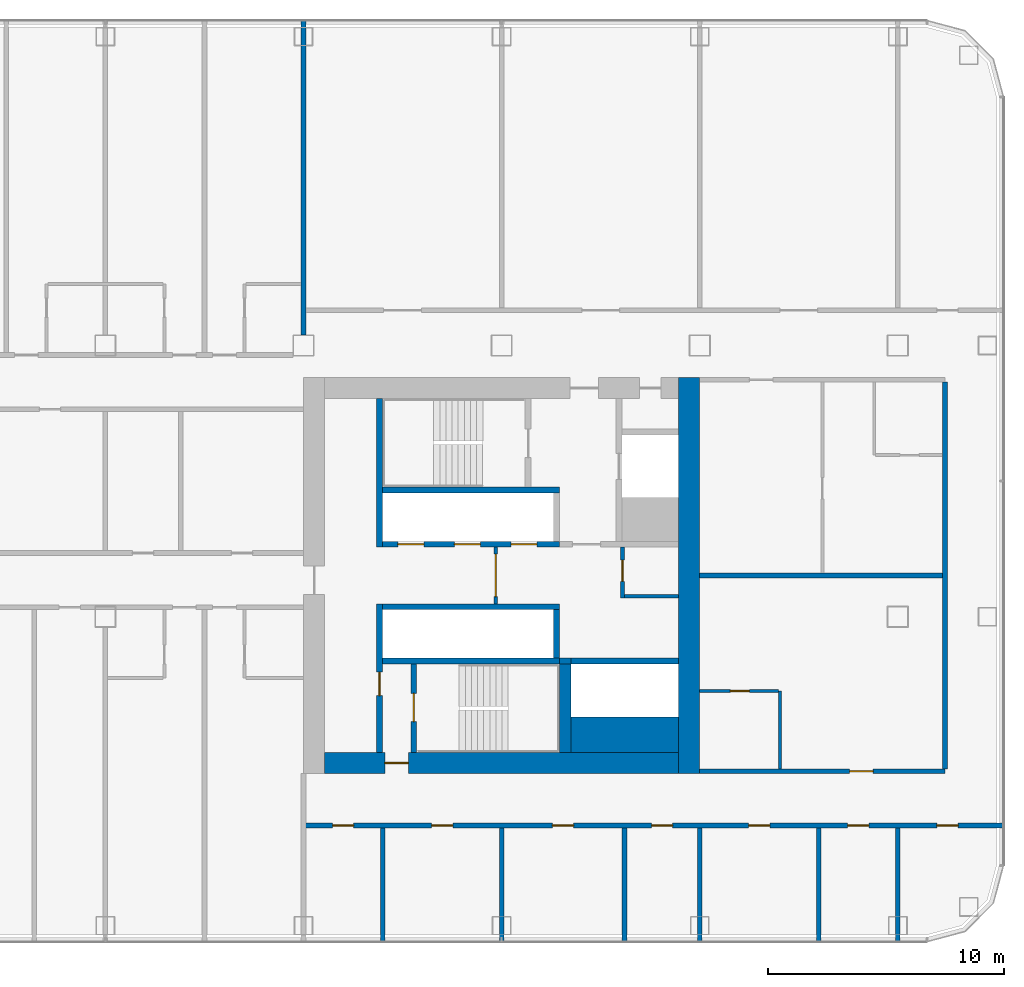
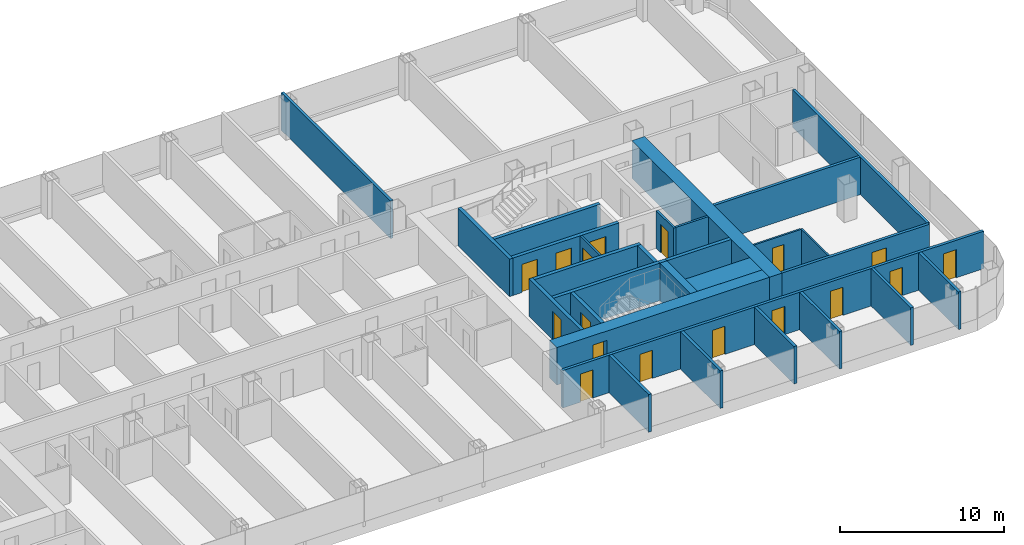
# One storey, part 19 of 29: 30 walls, 17 doors, 17 openings.
"""IFC4 building model written with IfcOpenShell, lengths in metres."""

from ifc_helpers import new_model, si_unit, direction, frame, frame_2d, origin, place, context, subcontext, project, spatial, rectangle, extrude, material, layer, layer_set, type_object, element, fill, save


model = new_model("IFC4")

# Units and contexts
model_context = context("Model", 3, precision=1e-05, world=origin(), true_north=direction((0.0, 1.0)))
body_context = subcontext(model_context, "Body", "Model", "MODEL_VIEW")
ifc_project = project(units=[si_unit("LENGTHUNIT", "METRE"), si_unit("AREAUNIT", "SQUARE_METRE"), si_unit("VOLUMEUNIT", "CUBIC_METRE"), si_unit("PLANEANGLEUNIT", "RADIAN"), si_unit("MASSUNIT", "GRAM", prefix="KILO")], contexts=[model_context])

# Site, building, storey
site_placement = place(None, origin())
site = spatial("IfcSite", under=ifc_project, at=site_placement, CompositionType="ELEMENT")
building_placement = place(site_placement, origin())
building = spatial("IfcBuilding", under=site, at=building_placement, Name="Hakoniwa Tower and Hamabe Station Hall", CompositionType="ELEMENT")
storey_placement = place(building_placement, frame((0.0, 0.0, 110.60009765625)))
storey = spatial("IfcBuildingStorey", under=building, at=storey_placement, Name="L31", CompositionType="ELEMENT", Elevation=110.60009765625)

# Wall, opening, door
ifc_material_1 = material(Name="Gypsum board partition", Category="gypsum")
ifc_layer_1 = layer(ifc_material_1, 0.125)
ifc_layer_set_1 = layer_set([ifc_layer_1], Name="Bathroom Partition 125")
wall_type_1 = type_object("IfcWallType", Name="Bathroom Partition 125", PredefinedType="PARTITIONING", material=ifc_layer_set_1)
wall_1_placement = place(storey_placement, frame((33.60009765625, -4.89990234375, 0.0), z_axis=(0.0, 0.0, 1.0), x_axis=(1.0, 0.0, 0.0)))
wall_1 = element("IfcWall", 1, at=wall_1_placement, inside=storey, type_object=wall_type_1, Name="GW-L31-006", PredefinedType="PARTITIONING", context=body_context, shape_type="SweptSolid", body=[
    extrude(rectangle(XDim=3.33740234375, YDim=0.125, at=frame_2d((1.668701171875, 0.0))), origin(), (0.0, 0.0, 1.0), 2.7998046875),
])
opening_1_placement = place(wall_1_placement, frame((1.300048828125, 0.0, 0.0)))
opening_1 = element("IfcOpeningElement", 2, at=opening_1_placement, cuts=wall_1, Name="Opening GD-G2B2-17", PredefinedType="OPENING", context=body_context, shape_type="SweptSolid", body=[
    extrude(rectangle(XDim=0.800048828125, YDim=2.10009765625, at=frame_2d((0.39990234375, 1.050048828125))), frame((0.0, 0.072509765625, 0.0), z_axis=(0.0, -1.0, 0.0), x_axis=(1.0, 0.0, 0.0)), (0.0, 0.0, 1.0), 0.14501953125),
])
ifc_material_2 = material(Name="Timber door leaf", Category="wood")
door_type_1 = type_object("IfcDoorType", Name="Bathroom Door 800", OperationType="SINGLE_SWING_LEFT", PredefinedType="DOOR", material=ifc_material_2)
door_1_placement = place(opening_1_placement, origin())
door_1 = element("IfcDoor", 3, at=door_1_placement, inside=storey, type_object=door_type_1, Name="Door GD-G2B2-17", OperationType="SINGLE_SWING_RIGHT", OverallHeight=2.10009765625, OverallWidth=0.800048828125, PredefinedType="DOOR", context=body_context, shape_type="SweptSolid", body=[
    extrude(rectangle(XDim=0.800048828125, YDim=2.10009765625, at=frame_2d((0.39990234375, 1.050048828125))), frame((0.0, 0.02490234375, 0.0), z_axis=(0.0, -1.0, 0.0), x_axis=(1.0, 0.0, 0.0)), (0.0, 0.0, 1.0), 0.050048828125),
])
fill(opening_1, door_1)

# Wall
wall_2_placement = place(storey_placement, frame((37.0, -8.199951171875, 0.0), z_axis=(0.0, 0.0, 1.0), x_axis=(0.0, 1.0, 0.0)))
element("IfcWall", 4, at=wall_2_placement, inside=storey, type_object=wall_type_1, Name="GW-L31-092", PredefinedType="PARTITIONING", context=body_context, shape_type="SweptSolid", body=[
    extrude(rectangle(XDim=3.300048828125, YDim=0.125, at=frame_2d((1.64990234375, 0.0))), origin(), (0.0, 0.0, 1.0), 2.7998046875),
])

# Wall, opening, door
ifc_material_3 = material(Name="Gypsum board partition")
ifc_layer_2 = layer(ifc_material_3, 0.14990234375)
ifc_layer_set_2 = layer_set([ifc_layer_2], Name="CORE PARTITION 150 EI 60")
wall_type_2 = type_object("IfcWallType", Name="CORE PARTITION 150 EI 60", PredefinedType="PARTITIONING", material=ifc_layer_set_2)
wall_3_placement = place(storey_placement, frame((24.949951171875, -1.199951171875, 0.0), z_axis=(0.0, 0.0, 1.0), x_axis=(0.0, 1.0, 0.0)))
wall_3 = element("IfcWall", 5, at=wall_3_placement, inside=storey, type_object=wall_type_2, Name="Core partition PL0 east", PredefinedType="PARTITIONING", context=body_context, shape_type="SweptSolid", body=[
    extrude(rectangle(XDim=2.39990234375, YDim=0.14990234375, at=frame_2d((1.199951171875, 0.0))), origin(), (0.0, 0.0, 1.0), 2.7998046875),
])
opening_2_placement = place(wall_3_placement, frame((0.300048828125, 0.0, 0.0)))
opening_2 = element("IfcOpeningElement", 6, at=opening_2_placement, cuts=wall_3, Name="Opening CD-E-LP0-18", PredefinedType="OPENING", context=body_context, shape_type="SweptSolid", body=[
    extrude(rectangle(XDim=1.800048828125, YDim=2.10009765625, at=frame_2d((0.89990234375, 1.050048828125))), frame((0.0, 0.0849609375, 0.0), z_axis=(0.0, -1.0, 0.0), x_axis=(1.0, 0.0, 0.0)), (0.0, 0.0, 1.0), 0.169921875),
])
ifc_material_4 = material(Name="Steel fire door", Category="steel")
door_type_2 = type_object("IfcDoorType", Name="CORE DOOR 1800 FD60", OperationType="DOUBLE_DOOR_SINGLE_SWING", PredefinedType="DOOR", material=ifc_material_4)
door_2_placement = place(opening_2_placement, origin())
door_2 = element("IfcDoor", 7, at=door_2_placement, inside=storey, type_object=door_type_2, Name="Lift lobby partition door", OperationType="DOUBLE_DOOR_SINGLE_SWING", OverallHeight=2.10009765625, OverallWidth=1.800048828125, PredefinedType="DOOR", context=body_context, shape_type="SweptSolid", body=[
    extrude(rectangle(XDim=1.800048828125, YDim=2.10009765625, at=frame_2d((0.89990234375, 1.050048828125))), frame((0.0, 0.02490234375, 0.0), z_axis=(0.0, -1.0, 0.0), x_axis=(1.0, 0.0, 0.0)), (0.0, 0.0, 1.0), 0.050048828125),
])
fill(opening_2, door_2)

wall_4_placement = place(storey_placement, frame((30.324951171875, -0.949951171875, 0.0), z_axis=(0.0, 0.0, 1.0), x_axis=(0.0, 1.0, 0.0)))
wall_4 = element("IfcWall", 8, at=wall_4_placement, inside=storey, type_object=wall_type_2, Name="Core partition PW0 east", PredefinedType="PARTITIONING", context=body_context, shape_type="SweptSolid", body=[
    extrude(rectangle(XDim=2.14990234375, YDim=0.14990234375, at=frame_2d((1.074951171875, 0.0))), origin(), (0.0, 0.0, 1.0), 2.7998046875),
])
opening_3_placement = place(wall_4_placement, frame((0.699951171875, 0.0, 0.0)))
opening_3 = element("IfcOpeningElement", 9, at=opening_3_placement, cuts=wall_4, Name="Opening CD-E-RM1-9", PredefinedType="OPENING", context=body_context, shape_type="SweptSolid", body=[
    extrude(rectangle(XDim=0.89990234375, YDim=2.10009765625, at=frame_2d((0.449951171875, 1.050048828125))), frame((0.0, 0.0849609375, 0.0), z_axis=(0.0, -1.0, 0.0), x_axis=(1.0, 0.0, 0.0)), (0.0, 0.0, 1.0), 0.169921875),
])
ifc_material_5 = material(Name="Steel fire door", Category="steel")
door_type_3 = type_object("IfcDoorType", Name="CORE DOOR 900 FD30", OperationType="NOTDEFINED", PredefinedType="DOOR", material=ifc_material_5)
door_3_placement = place(opening_3_placement, origin())
door_3 = element("IfcDoor", 10, at=door_3_placement, inside=storey, type_object=door_type_3, Name="Store room door", OperationType="SINGLE_SWING_LEFT", OverallHeight=2.10009765625, OverallWidth=0.89990234375, PredefinedType="DOOR", context=body_context, shape_type="SweptSolid", body=[
    extrude(rectangle(XDim=0.89990234375, YDim=2.10009765625, at=frame_2d((0.449951171875, 1.050048828125))), frame((0.0, 0.02490234375, 0.0), z_axis=(0.0, -1.0, 0.0), x_axis=(1.0, 0.0, 0.0)), (0.0, 0.0, 1.0), 0.050048828125),
])
fill(opening_3, door_3)

# Walls
wall_5_placement = place(storey_placement, frame((30.39990234375, -0.875, 0.0), z_axis=(0.0, 0.0, 1.0), x_axis=(1.0, 0.0, 0.0)))
element("IfcWall", 11, at=wall_5_placement, inside=storey, type_object=wall_type_2, Name="Core partition PS east", PredefinedType="PARTITIONING", context=body_context, shape_type="SweptSolid", body=[
    extrude(rectangle(XDim=2.300048828125, YDim=0.14990234375, at=frame_2d((1.14990234375, 0.0))), origin(), (0.0, 0.0, 1.0), 2.7998046875),
])
ifc_material_6 = material(Name="Concrete C72", Category="concrete")
ifc_layer_3 = layer(ifc_material_6, 0.89990234375)
ifc_layer_set_3 = layer_set([ifc_layer_3], Name="CORE WALL 900 C72")
wall_type_3 = type_object("IfcWallType", Name="CORE WALL 900 C72", PredefinedType="SHEAR", material=ifc_layer_set_3)
wall_6_placement = place(storey_placement, frame((33.14990234375, -8.39990234375, 0.0), z_axis=(0.0, 0.0, 1.0), x_axis=(0.0, 1.0, 0.0)))
element("IfcWall", 12, at=wall_6_placement, inside=storey, type_object=wall_type_3, Name="Core wall OUTER east", PredefinedType="SHEAR", context=body_context, shape_type="SweptSolid", body=[
    extrude(rectangle(XDim=16.7998046875, YDim=0.89990234375, at=frame_2d((8.39990234375, 0.0))), origin(), (0.0, 0.0, 1.0), 2.7998046875),
])

# Wall, opening, door
wall_7_placement = place(storey_placement, frame((17.699951171875, -7.949951171875, 0.0), z_axis=(0.0, 0.0, 1.0), x_axis=(1.0, 0.0, 0.0)))
wall_7 = element("IfcWall", 13, at=wall_7_placement, inside=storey, type_object=wall_type_3, Name="Core wall SOUTH east", PredefinedType="SHEAR", context=body_context, shape_type="SweptSolid", body=[
    extrude(rectangle(XDim=15.0, YDim=0.89990234375, at=frame_2d((7.5, 0.0))), origin(), (0.0, 0.0, 1.0), 2.7998046875),
])
opening_4_placement = place(wall_7_placement, frame((2.550048828125, 0.0, 0.0)))
opening_4 = element("IfcOpeningElement", 14, at=opening_4_placement, cuts=wall_7, Name="Opening CD-E-FS3-10", PredefinedType="OPENING", context=body_context, shape_type="SweptSolid", body=[
    extrude(rectangle(XDim=1.0, YDim=2.10009765625, at=frame_2d((0.5, 1.050048828125))), frame((0.0, 0.4599609375, 0.0), z_axis=(0.0, -1.0, 0.0), x_axis=(1.0, 0.0, 0.0)), (0.0, 0.0, 1.0), 0.919921875),
])
ifc_material_7 = material(Name="Steel fire door", Category="steel")
door_type_4 = type_object("IfcDoorType", Name="CORE DOOR 1000 FD60", OperationType="NOTDEFINED", PredefinedType="DOOR", material=ifc_material_7)
door_4_placement = place(opening_4_placement, origin())
door_4 = element("IfcDoor", 15, at=door_4_placement, inside=storey, type_object=door_type_4, Name="Stair vestibule door", OperationType="SINGLE_SWING_LEFT", OverallHeight=2.10009765625, OverallWidth=1.0, PredefinedType="DOOR", context=body_context, shape_type="SweptSolid", body=[
    extrude(rectangle(XDim=1.0, YDim=2.10009765625, at=frame_2d((0.5, 1.050048828125))), frame((0.0, 0.02490234375, 0.0), z_axis=(0.0, -1.0, 0.0), x_axis=(1.0, 0.0, 0.0)), (0.0, 0.0, 1.0), 0.050048828125),
])
fill(opening_4, door_4)

# Walls
ifc_material_8 = material(Name="Concrete C72", Category="concrete")
ifc_layer_4 = layer(ifc_material_8, 1.5)
ifc_layer_set_4 = layer_set([ifc_layer_4], Name="CORE WEB WALL 1500 C72")
wall_type_4 = type_object("IfcWallType", Name="CORE WEB WALL 1500 C72", PredefinedType="SHEAR", material=ifc_layer_set_4)
wall_8_placement = place(storey_placement, frame((28.14990234375, -6.75, 0.0), z_axis=(0.0, 0.0, 1.0), x_axis=(1.0, 0.0, 0.0)))
element("IfcWall", 16, at=wall_8_placement, inside=storey, type_object=wall_type_4, Name="Core wall SER east", PredefinedType="SHEAR", context=body_context, shape_type="SweptSolid", body=[
    extrude(rectangle(XDim=4.550048828125, YDim=1.5, at=frame_2d((2.27490234375, 0.0))), origin(), (0.0, 0.0, 1.0), 2.7998046875),
])
ifc_material_9 = material(Name="Concrete C72", Category="concrete")
ifc_layer_5 = layer(ifc_material_9, 0.25)
ifc_layer_set_5 = layer_set([ifc_layer_5], Name="CORE WEB WALL 250 C72")
wall_type_5 = type_object("IfcWallType", Name="CORE WEB WALL 250 C72", PredefinedType="SHEAR", material=ifc_layer_set_5)
wall_9_placement = place(storey_placement, frame((20.02490234375, 1.199951171875, 0.0), z_axis=(0.0, 0.0, 1.0), x_axis=(0.0, 1.0, 0.0)))
element("IfcWall", 17, at=wall_9_placement, inside=storey, type_object=wall_type_5, Name="Core wall W1N east", PredefinedType="SHEAR", context=body_context, shape_type="SweptSolid", body=[
    extrude(rectangle(XDim=6.300048828125, YDim=0.25, at=frame_2d((3.14990234375, 0.0))), origin(), (0.0, 0.0, 1.0), 2.7998046875),
])

# Wall, opening, door
wall_10_placement = place(storey_placement, frame((20.02490234375, -7.5, 0.0), z_axis=(0.0, 0.0, 1.0), x_axis=(0.0, 1.0, 0.0)))
wall_10 = element("IfcWall", 18, at=wall_10_placement, inside=storey, type_object=wall_type_5, Name="Core wall W1S east", PredefinedType="SHEAR", context=body_context, shape_type="SweptSolid", body=[
    extrude(rectangle(XDim=6.300048828125, YDim=0.25, at=frame_2d((3.14990234375, 0.0))), origin(), (0.0, 0.0, 1.0), 2.7998046875),
])
opening_5_placement = place(wall_10_placement, frame((2.39990234375, 0.0, 0.0)))
opening_5 = element("IfcOpeningElement", 19, at=opening_5_placement, cuts=wall_10, Name="Opening CD-E-VS-10", PredefinedType="OPENING", context=body_context, shape_type="SweptSolid", body=[
    extrude(rectangle(XDim=1.0, YDim=2.10009765625, at=frame_2d((0.5, 1.050048828125))), frame((0.0, 0.135009765625, 0.0), z_axis=(0.0, -1.0, 0.0), x_axis=(1.0, 0.0, 0.0)), (0.0, 0.0, 1.0), 0.27001953125),
])
door_5_placement = place(opening_5_placement, origin())
door_5 = element("IfcDoor", 20, at=door_5_placement, inside=storey, type_object=door_type_4, Name="Stair vestibule door", OperationType="SINGLE_SWING_RIGHT", OverallHeight=2.10009765625, OverallWidth=1.0, PredefinedType="DOOR", context=body_context, shape_type="SweptSolid", body=[
    extrude(rectangle(XDim=1.0, YDim=2.10009765625, at=frame_2d((0.5, 1.050048828125))), frame((0.0, 0.02490234375, 0.0), z_axis=(0.0, -1.0, 0.0), x_axis=(1.0, 0.0, 0.0)), (0.0, 0.0, 1.0), 0.050048828125),
])
fill(opening_5, door_5)

# Wall, openings, doors
wall_11_placement = place(storey_placement, frame((20.14990234375, 1.324951171875, 0.0), z_axis=(0.0, 0.0, 1.0), x_axis=(1.0, 0.0, 0.0)))
wall_11 = element("IfcWall", 21, at=wall_11_placement, inside=storey, type_object=wall_type_5, Name="Core wall NF east", PredefinedType="SHEAR", context=body_context, shape_type="SweptSolid", body=[
    extrude(rectangle(XDim=7.5, YDim=0.25, at=frame_2d((3.75, 0.0))), origin(), (0.0, 0.0, 1.0), 2.7998046875),
])
opening_6_placement = place(wall_11_placement, frame((0.64990234375, 0.0, 0.0)))
opening_6 = element("IfcOpeningElement", 22, at=opening_6_placement, cuts=wall_11, Name="Opening LD-LR4", PredefinedType="OPENING", context=body_context, shape_type="SweptSolid", body=[
    extrude(rectangle(XDim=1.10009765625, YDim=2.10009765625, at=frame_2d((0.550048828125, 1.050048828125))), frame((0.0, 0.135009765625, 0.0), z_axis=(0.0, -1.0, 0.0), x_axis=(1.0, 0.0, 0.0)), (0.0, 0.0, 1.0), 0.27001953125),
])
opening_7_placement = place(wall_11_placement, frame((3.050048828125, 0.0, 0.0)))
opening_7 = element("IfcOpeningElement", 23, at=opening_7_placement, cuts=wall_11, Name="Opening LD-LR5", PredefinedType="OPENING", context=body_context, shape_type="SweptSolid", body=[
    extrude(rectangle(XDim=1.10009765625, YDim=2.10009765625, at=frame_2d((0.550048828125, 1.050048828125))), frame((0.0, 0.135009765625, 0.0), z_axis=(0.0, -1.0, 0.0), x_axis=(1.0, 0.0, 0.0)), (0.0, 0.0, 1.0), 0.27001953125),
])
opening_8_placement = place(wall_11_placement, frame((5.449951171875, 0.0, 0.0)))
opening_8 = element("IfcOpeningElement", 24, at=opening_8_placement, cuts=wall_11, Name="Opening LD-LR6", PredefinedType="OPENING", context=body_context, shape_type="SweptSolid", body=[
    extrude(rectangle(XDim=1.10009765625, YDim=2.10009765625, at=frame_2d((0.550048828125, 1.050048828125))), frame((0.0, 0.135009765625, 0.0), z_axis=(0.0, -1.0, 0.0), x_axis=(1.0, 0.0, 0.0)), (0.0, 0.0, 1.0), 0.27001953125),
])
ifc_material_10 = material(Name="Stainless steel SUS304", Category="steel")
door_type_5 = type_object("IfcDoorType", Name="LIFT LANDING DOOR 1100 FD60", OperationType="DOUBLE_DOOR_SLIDING", PredefinedType="DOOR", material=ifc_material_10)
door_6_placement = place(opening_6_placement, origin())
door_6 = element("IfcDoor", 25, at=door_6_placement, inside=storey, type_object=door_type_5, Name="Lift landing door LR4 L31", OperationType="DOUBLE_DOOR_SLIDING", OverallHeight=2.10009765625, OverallWidth=1.10009765625, PredefinedType="DOOR", context=body_context, shape_type="SweptSolid", body=[
    extrude(rectangle(XDim=1.10009765625, YDim=2.10009765625, at=frame_2d((0.550048828125, 1.050048828125))), frame((0.0, 0.02490234375, 0.0), z_axis=(0.0, -1.0, 0.0), x_axis=(1.0, 0.0, 0.0)), (0.0, 0.0, 1.0), 0.050048828125),
])
fill(opening_6, door_6)
door_7_placement = place(opening_7_placement, origin())
door_7 = element("IfcDoor", 26, at=door_7_placement, inside=storey, type_object=door_type_5, Name="Lift landing door LR5 L31", OperationType="DOUBLE_DOOR_SLIDING", OverallHeight=2.10009765625, OverallWidth=1.10009765625, PredefinedType="DOOR", context=body_context, shape_type="SweptSolid", body=[
    extrude(rectangle(XDim=1.10009765625, YDim=2.10009765625, at=frame_2d((0.550048828125, 1.050048828125))), frame((0.0, 0.02490234375, 0.0), z_axis=(0.0, -1.0, 0.0), x_axis=(1.0, 0.0, 0.0)), (0.0, 0.0, 1.0), 0.050048828125),
])
fill(opening_7, door_7)
door_8_placement = place(opening_8_placement, origin())
door_8 = element("IfcDoor", 27, at=door_8_placement, inside=storey, type_object=door_type_5, Name="Lift landing door LR6 L31", OperationType="DOUBLE_DOOR_SLIDING", OverallHeight=2.10009765625, OverallWidth=1.10009765625, PredefinedType="DOOR", context=body_context, shape_type="SweptSolid", body=[
    extrude(rectangle(XDim=1.10009765625, YDim=2.10009765625, at=frame_2d((0.550048828125, 1.050048828125))), frame((0.0, 0.02490234375, 0.0), z_axis=(0.0, -1.0, 0.0), x_axis=(1.0, 0.0, 0.0)), (0.0, 0.0, 1.0), 0.050048828125),
])
fill(opening_8, door_8)

# Walls
for number, where, z_axis, x_axis, name in (
    (28, (20.14990234375, 3.625, 0.0), (0.0, 0.0, 1.0), (1.0, 0.0, 0.0), "Core wall NR east"),
    (29, (20.14990234375, -1.324951171875, 0.0), (0.0, 0.0, 1.0), (1.0, 0.0, 0.0), "Core wall SF east"),
):
    element("IfcWall", number, at=place(storey_placement, frame(where, z_axis=z_axis, x_axis=x_axis)), inside=storey, type_object=wall_type_5, Name=name, PredefinedType="SHEAR", context=body_context, shape_type="SweptSolid", body=[
        extrude(rectangle(XDim=7.5, YDim=0.25, at=frame_2d((3.75, 0.0))), origin(), (0.0, 0.0, 1.0), 2.7998046875),
    ])
wall_12_placement = place(storey_placement, frame((27.52490234375, -3.5, 0.0), z_axis=(0.0, 0.0, 1.0), x_axis=(0.0, 1.0, 0.0)))
element("IfcWall", 30, at=wall_12_placement, inside=storey, type_object=wall_type_5, Name="Core wall SE east", PredefinedType="SHEAR", context=body_context, shape_type="SweptSolid", body=[
    extrude(rectangle(XDim=2.050048828125, YDim=0.25, at=frame_2d((1.02490234375, 0.0))), origin(), (0.0, 0.0, 1.0), 2.7998046875),
])
wall_13_placement = place(storey_placement, frame((20.14990234375, -3.625, 0.0), z_axis=(0.0, 0.0, 1.0), x_axis=(1.0, 0.0, 0.0)))
element("IfcWall", 31, at=wall_13_placement, inside=storey, type_object=wall_type_5, Name="Core wall SR east", PredefinedType="SHEAR", context=body_context, shape_type="SweptSolid", body=[
    extrude(rectangle(XDim=7.5, YDim=0.25, at=frame_2d((3.75, 0.0))), origin(), (0.0, 0.0, 1.0), 2.7998046875),
])

# Wall, opening, door
wall_14_placement = place(storey_placement, frame((21.47509765625, -7.5, 0.0), z_axis=(0.0, 0.0, 1.0), x_axis=(0.0, 1.0, 0.0)))
wall_14 = element("IfcWall", 32, at=wall_14_placement, inside=storey, type_object=wall_type_5, Name="Core wall VE east", PredefinedType="SHEAR", context=body_context, shape_type="SweptSolid", body=[
    extrude(rectangle(XDim=3.75, YDim=0.25, at=frame_2d((1.875, 0.0))), origin(), (0.0, 0.0, 1.0), 2.7998046875),
])
opening_9_placement = place(wall_14_placement, frame((1.300048828125, 0.0, 0.0)))
opening_9 = element("IfcOpeningElement", 33, at=opening_9_placement, cuts=wall_14, Name="Opening CD-E-SS-12", PredefinedType="OPENING", context=body_context, shape_type="SweptSolid", body=[
    extrude(rectangle(XDim=1.199951171875, YDim=2.10009765625, at=frame_2d((0.60009765625, 1.050048828125))), frame((0.0, 0.135009765625, 0.0), z_axis=(0.0, -1.0, 0.0), x_axis=(1.0, 0.0, 0.0)), (0.0, 0.0, 1.0), 0.27001953125),
])
ifc_material_11 = material(Name="Steel fire door", Category="steel")
door_type_6 = type_object("IfcDoorType", Name="CORE DOOR 1200 FD60", OperationType="DOUBLE_DOOR_SINGLE_SWING", PredefinedType="DOOR", material=ifc_material_11)
door_9_placement = place(opening_9_placement, origin())
door_9 = element("IfcDoor", 34, at=door_9_placement, inside=storey, type_object=door_type_6, Name="Escape stair door", OperationType="DOUBLE_DOOR_SINGLE_SWING", OverallHeight=2.10009765625, OverallWidth=1.199951171875, PredefinedType="DOOR", context=body_context, shape_type="SweptSolid", body=[
    extrude(rectangle(XDim=1.199951171875, YDim=2.10009765625, at=frame_2d((0.60009765625, 1.050048828125))), frame((0.0, 0.02490234375, 0.0), z_axis=(0.0, -1.0, 0.0), x_axis=(1.0, 0.0, 0.0)), (0.0, 0.0, 1.0), 0.050048828125),
])
fill(opening_9, door_9)

# Walls
wall_15_placement = place(storey_placement, frame((28.14990234375, -3.625, 0.0), z_axis=(0.0, 0.0, 1.0), x_axis=(1.0, 0.0, 0.0)))
element("IfcWall", 35, at=wall_15_placement, inside=storey, type_object=wall_type_5, Name="Core wall SEF east", PredefinedType="SHEAR", context=body_context, shape_type="SweptSolid", body=[
    extrude(rectangle(XDim=4.550048828125, YDim=0.25, at=frame_2d((2.27490234375, 0.0))), origin(), (0.0, 0.0, 1.0), 2.7998046875),
])
wall_16_placement = place(storey_placement, frame((27.64990234375, -3.625, 0.0), z_axis=(0.0, 0.0, 1.0), x_axis=(1.0, 0.0, 0.0)))
element("IfcWall", 36, at=wall_16_placement, inside=storey, type_object=wall_type_5, Name="Core wall SRK east", PredefinedType="SHEAR", context=body_context, shape_type="SweptSolid", body=[
    extrude(rectangle(XDim=0.5, YDim=0.25, at=frame_2d((0.25, 0.0))), origin(), (0.0, 0.0, 1.0), 2.7998046875),
])
ifc_material_12 = material(Name="Concrete C72", Category="concrete")
ifc_layer_6 = layer(ifc_material_12, 0.5)
ifc_layer_set_6 = layer_set([ifc_layer_6], Name="CORE WEB WALL 500 C72")
wall_type_6 = type_object("IfcWallType", Name="CORE WEB WALL 500 C72", PredefinedType="SHEAR", material=ifc_layer_set_6)
wall_17_placement = place(storey_placement, frame((27.89990234375, -7.5, 0.0), z_axis=(0.0, 0.0, 1.0), x_axis=(0.0, 1.0, 0.0)))
element("IfcWall", 37, at=wall_17_placement, inside=storey, type_object=wall_type_6, Name="Core wall SSE east", PredefinedType="SHEAR", context=body_context, shape_type="SweptSolid", body=[
    extrude(rectangle(XDim=3.75, YDim=0.5, at=frame_2d((1.875, 0.0))), origin(), (0.0, 0.0, 1.0), 2.7998046875),
])

# Wall, openings, doors
ifc_material_13 = material(Name="Fire-rated gypsum board partition", Category="gypsum")
ifc_layer_7 = layer(ifc_material_13, 0.199951171875)
ifc_layer_set_7 = layer_set([ifc_layer_7], Name="Corridor Wall 200")
wall_type_7 = type_object("IfcWallType", Name="Corridor Wall 200", PredefinedType="PARTITIONING", material=ifc_layer_set_7)
wall_18_placement = place(storey_placement, frame((16.800048828125, -10.60009765625, 0.0), z_axis=(0.0, 0.0, 1.0), x_axis=(1.0, 0.0, 0.0)))
wall_18 = element("IfcWall", 38, at=wall_18_placement, inside=storey, type_object=wall_type_7, Name="GW-L31-002", PredefinedType="PARTITIONING", context=body_context, shape_type="SweptSolid", body=[
    extrude(rectangle(XDim=29.699951171875, YDim=0.199951171875, at=frame_2d((14.85009765625, 0.0))), origin(), (0.0, 0.0, 1.0), 2.7998046875),
])
opening_10_placement = place(wall_18_placement, frame((1.22998046875, 0.0, 0.0)))
opening_10 = element("IfcOpeningElement", 39, at=opening_10_placement, cuts=wall_18, Name="Opening GD-G2B2-07", PredefinedType="OPENING", context=body_context, shape_type="SweptSolid", body=[
    extrude(rectangle(XDim=0.89990234375, YDim=2.10009765625, at=frame_2d((0.449951171875, 1.050048828125))), frame((0.0, 0.10986328125, 0.0), z_axis=(0.0, -1.0, 0.0), x_axis=(1.0, 0.0, 0.0)), (0.0, 0.0, 1.0), 0.219970703125),
])
opening_11_placement = place(wall_18_placement, frame((5.429931640625, 0.0, 0.0)))
opening_11 = element("IfcOpeningElement", 40, at=opening_11_placement, cuts=wall_18, Name="Opening GD-G2B2-08", PredefinedType="OPENING", context=body_context, shape_type="SweptSolid", body=[
    extrude(rectangle(XDim=0.89990234375, YDim=2.10009765625, at=frame_2d((0.449951171875, 1.050048828125))), frame((0.0, 0.10986328125, 0.0), z_axis=(0.0, -1.0, 0.0), x_axis=(1.0, 0.0, 0.0)), (0.0, 0.0, 1.0), 0.219970703125),
])
opening_12_placement = place(wall_18_placement, frame((10.554931640625, 0.0, 0.0)))
opening_12 = element("IfcOpeningElement", 41, at=opening_12_placement, cuts=wall_18, Name="Opening GD-G2B2-09", PredefinedType="OPENING", context=body_context, shape_type="SweptSolid", body=[
    extrude(rectangle(XDim=0.89990234375, YDim=2.10009765625, at=frame_2d((0.449951171875, 1.050048828125))), frame((0.0, 0.10986328125, 0.0), z_axis=(0.0, -1.0, 0.0), x_axis=(1.0, 0.0, 0.0)), (0.0, 0.0, 1.0), 0.219970703125),
])
opening_13_placement = place(wall_18_placement, frame((14.7548828125, 0.0, 0.0)))
opening_13 = element("IfcOpeningElement", 42, at=opening_13_placement, cuts=wall_18, Name="Opening GD-G2B2-10", PredefinedType="OPENING", context=body_context, shape_type="SweptSolid", body=[
    extrude(rectangle(XDim=0.89990234375, YDim=2.10009765625, at=frame_2d((0.449951171875, 1.050048828125))), frame((0.0, 0.10986328125, 0.0), z_axis=(0.0, -1.0, 0.0), x_axis=(1.0, 0.0, 0.0)), (0.0, 0.0, 1.0), 0.219970703125),
])
opening_14_placement = place(wall_18_placement, frame((18.8701171875, 0.0, 0.0)))
opening_14 = element("IfcOpeningElement", 43, at=opening_14_placement, cuts=wall_18, Name="Opening GD-G2B2-11", PredefinedType="OPENING", context=body_context, shape_type="SweptSolid", body=[
    extrude(rectangle(XDim=0.89990234375, YDim=2.10009765625, at=frame_2d((0.449951171875, 1.050048828125))), frame((0.0, 0.10986328125, 0.0), z_axis=(0.0, -1.0, 0.0), x_axis=(1.0, 0.0, 0.0)), (0.0, 0.0, 1.0), 0.219970703125),
])
opening_15_placement = place(wall_18_placement, frame((23.070068359375, 0.0, 0.0)))
opening_15 = element("IfcOpeningElement", 44, at=opening_15_placement, cuts=wall_18, Name="Opening GD-G2B2-12", PredefinedType="OPENING", context=body_context, shape_type="SweptSolid", body=[
    extrude(rectangle(XDim=0.89990234375, YDim=2.10009765625, at=frame_2d((0.449951171875, 1.050048828125))), frame((0.0, 0.10986328125, 0.0), z_axis=(0.0, -1.0, 0.0), x_axis=(1.0, 0.0, 0.0)), (0.0, 0.0, 1.0), 0.219970703125),
])
opening_16_placement = place(wall_18_placement, frame((26.85009765625, 0.0, 0.0)))
opening_16 = element("IfcOpeningElement", 45, at=opening_16_placement, cuts=wall_18, Name="Opening GD-G2B2-13", PredefinedType="OPENING", context=body_context, shape_type="SweptSolid", body=[
    extrude(rectangle(XDim=0.89990234375, YDim=2.10009765625, at=frame_2d((0.449951171875, 1.050048828125))), frame((0.0, 0.10986328125, 0.0), z_axis=(0.0, -1.0, 0.0), x_axis=(1.0, 0.0, 0.0)), (0.0, 0.0, 1.0), 0.219970703125),
])
ifc_material_14 = material(Name="Timber door leaf", Category="wood")
door_type_7 = type_object("IfcDoorType", Name="Service Door 900", OperationType="SINGLE_SWING_LEFT", PredefinedType="DOOR", material=ifc_material_14)
door_10_placement = place(opening_10_placement, origin())
door_10 = element("IfcDoor", 46, at=door_10_placement, inside=storey, type_object=door_type_7, Name="Door GD-G2B2-07", OperationType="SINGLE_SWING_RIGHT", OverallHeight=2.10009765625, OverallWidth=0.89990234375, PredefinedType="DOOR", context=body_context, shape_type="SweptSolid", body=[
    extrude(rectangle(XDim=0.89990234375, YDim=2.10009765625, at=frame_2d((0.449951171875, 1.050048828125))), frame((0.0, 0.02490234375, 0.0), z_axis=(0.0, -1.0, 0.0), x_axis=(1.0, 0.0, 0.0)), (0.0, 0.0, 1.0), 0.050048828125),
])
fill(opening_10, door_10)
door_11_placement = place(opening_11_placement, origin())
door_11 = element("IfcDoor", 47, at=door_11_placement, inside=storey, type_object=door_type_7, Name="Door GD-G2B2-08", OperationType="SINGLE_SWING_LEFT", OverallHeight=2.10009765625, OverallWidth=0.89990234375, PredefinedType="DOOR", context=body_context, shape_type="SweptSolid", body=[
    extrude(rectangle(XDim=0.89990234375, YDim=2.10009765625, at=frame_2d((0.449951171875, 1.050048828125))), frame((0.0, 0.02490234375, 0.0), z_axis=(0.0, -1.0, 0.0), x_axis=(1.0, 0.0, 0.0)), (0.0, 0.0, 1.0), 0.050048828125),
])
fill(opening_11, door_11)
door_12_placement = place(opening_12_placement, origin())
door_12 = element("IfcDoor", 48, at=door_12_placement, inside=storey, type_object=door_type_7, Name="Door GD-G2B2-09", OperationType="SINGLE_SWING_RIGHT", OverallHeight=2.10009765625, OverallWidth=0.89990234375, PredefinedType="DOOR", context=body_context, shape_type="SweptSolid", body=[
    extrude(rectangle(XDim=0.89990234375, YDim=2.10009765625, at=frame_2d((0.449951171875, 1.050048828125))), frame((0.0, 0.02490234375, 0.0), z_axis=(0.0, -1.0, 0.0), x_axis=(1.0, 0.0, 0.0)), (0.0, 0.0, 1.0), 0.050048828125),
])
fill(opening_12, door_12)
door_13_placement = place(opening_13_placement, origin())
door_13 = element("IfcDoor", 49, at=door_13_placement, inside=storey, type_object=door_type_7, Name="Door GD-G2B2-10", OperationType="SINGLE_SWING_RIGHT", OverallHeight=2.10009765625, OverallWidth=0.89990234375, PredefinedType="DOOR", context=body_context, shape_type="SweptSolid", body=[
    extrude(rectangle(XDim=0.89990234375, YDim=2.10009765625, at=frame_2d((0.449951171875, 1.050048828125))), frame((0.0, 0.02490234375, 0.0), z_axis=(0.0, -1.0, 0.0), x_axis=(1.0, 0.0, 0.0)), (0.0, 0.0, 1.0), 0.050048828125),
])
fill(opening_13, door_13)
door_14_placement = place(opening_14_placement, origin())
door_14 = element("IfcDoor", 50, at=door_14_placement, inside=storey, type_object=door_type_7, Name="Door GD-G2B2-11", OperationType="SINGLE_SWING_LEFT", OverallHeight=2.10009765625, OverallWidth=0.89990234375, PredefinedType="DOOR", context=body_context, shape_type="SweptSolid", body=[
    extrude(rectangle(XDim=0.89990234375, YDim=2.10009765625, at=frame_2d((0.449951171875, 1.050048828125))), frame((0.0, 0.02490234375, 0.0), z_axis=(0.0, -1.0, 0.0), x_axis=(1.0, 0.0, 0.0)), (0.0, 0.0, 1.0), 0.050048828125),
])
fill(opening_14, door_14)
door_15_placement = place(opening_15_placement, origin())
door_15 = element("IfcDoor", 51, at=door_15_placement, inside=storey, type_object=door_type_7, Name="Door GD-G2B2-12", OperationType="SINGLE_SWING_RIGHT", OverallHeight=2.10009765625, OverallWidth=0.89990234375, PredefinedType="DOOR", context=body_context, shape_type="SweptSolid", body=[
    extrude(rectangle(XDim=0.89990234375, YDim=2.10009765625, at=frame_2d((0.449951171875, 1.050048828125))), frame((0.0, 0.02490234375, 0.0), z_axis=(0.0, -1.0, 0.0), x_axis=(1.0, 0.0, 0.0)), (0.0, 0.0, 1.0), 0.050048828125),
])
fill(opening_15, door_15)
door_16_placement = place(opening_16_placement, origin())
door_16 = element("IfcDoor", 52, at=door_16_placement, inside=storey, type_object=door_type_7, Name="Door GD-G2B2-13", OperationType="SINGLE_SWING_LEFT", OverallHeight=2.10009765625, OverallWidth=0.89990234375, PredefinedType="DOOR", context=body_context, shape_type="SweptSolid", body=[
    extrude(rectangle(XDim=0.89990234375, YDim=2.10009765625, at=frame_2d((0.449951171875, 1.050048828125))), frame((0.0, 0.02490234375, 0.0), z_axis=(0.0, -1.0, 0.0), x_axis=(1.0, 0.0, 0.0)), (0.0, 0.0, 1.0), 0.050048828125),
])
fill(opening_16, door_16)

# Wall, opening, door
wall_19_placement = place(storey_placement, frame((33.60009765625, -8.300048828125, 0.0), z_axis=(0.0, 0.0, 1.0), x_axis=(1.0, 0.0, 0.0)))
wall_19 = element("IfcWall", 53, at=wall_19_placement, inside=storey, type_object=wall_type_7, Name="GW-L31-004", PredefinedType="PARTITIONING", context=body_context, shape_type="SweptSolid", body=[
    extrude(rectangle(XDim=10.39990234375, YDim=0.199951171875, at=frame_2d((5.199951171875, 0.0))), origin(), (0.0, 0.0, 1.0), 2.7998046875),
])
opening_17_placement = place(wall_19_placement, frame((6.35009765625, 0.0, 0.0)))
opening_17 = element("IfcOpeningElement", 54, at=opening_17_placement, cuts=wall_19, Name="Opening GD-G2B2-15", PredefinedType="OPENING", context=body_context, shape_type="SweptSolid", body=[
    extrude(rectangle(XDim=1.0, YDim=2.10009765625, at=frame_2d((0.5, 1.050048828125))), frame((0.0, 0.10986328125, 0.0), z_axis=(0.0, -1.0, 0.0), x_axis=(1.0, 0.0, 0.0)), (0.0, 0.0, 1.0), 0.219970703125),
])
ifc_material_15 = material(Name="Timber door leaf", Category="wood")
door_type_8 = type_object("IfcDoorType", Name="Guest Entrance Door 1000", OperationType="SINGLE_SWING_LEFT", PredefinedType="DOOR", material=ifc_material_15)
door_17_placement = place(opening_17_placement, origin())
door_17 = element("IfcDoor", 55, at=door_17_placement, inside=storey, type_object=door_type_8, Name="Door GD-G2B2-15", OperationType="SINGLE_SWING_RIGHT", OverallHeight=2.10009765625, OverallWidth=1.0, PredefinedType="DOOR", context=body_context, shape_type="SweptSolid", body=[
    extrude(rectangle(XDim=1.0, YDim=2.10009765625, at=frame_2d((0.5, 1.050048828125))), frame((0.0, 0.02490234375, 0.0), z_axis=(0.0, -1.0, 0.0), x_axis=(1.0, 0.0, 0.0)), (0.0, 0.0, 1.0), 0.050048828125),
])
fill(opening_17, door_17)

# Walls
ifc_material_16 = material(Name="Fire-rated gypsum board partition", Category="gypsum")
ifc_layer_8 = layer(ifc_material_16, 0.199951171875)
ifc_layer_set_8 = layer_set([ifc_layer_8], Name="Party Wall 200")
wall_type_8 = type_object("IfcWallType", Name="Party Wall 200", PredefinedType="PARTITIONING", material=ifc_layer_set_8)
wall_20_placement = place(storey_placement, frame((33.60009765625, 0.0, 0.0), z_axis=(0.0, 0.0, 1.0), x_axis=(1.0, 0.0, 0.0)))
element("IfcWall", 56, at=wall_20_placement, inside=storey, type_object=wall_type_8, Name="GW-L31-014", PredefinedType="PARTITIONING", context=body_context, shape_type="SweptSolid", body=[
    extrude(rectangle(XDim=10.2998046875, YDim=0.199951171875, at=frame_2d((5.14990234375, 0.0))), origin(), (0.0, 0.0, 1.0), 2.7998046875),
])
wall_21_placement = place(storey_placement, frame((16.800048828125, 10.18994140625, 0.0), z_axis=(0.0, 0.0, 1.0), x_axis=(0.0, 1.0, 0.0)))
element("IfcWall", 57, at=wall_21_placement, inside=storey, type_object=wall_type_8, Name="GW-L31-085", PredefinedType="PARTITIONING", context=body_context, shape_type="SweptSolid", body=[
    extrude(rectangle(XDim=13.360107421875, YDim=0.199951171875, at=frame_2d((6.68017578125, 0.0))), origin(), (0.0, 0.0, 1.0), 2.7998046875),
])
for number, where, z_axis, x_axis, name in (
    (58, (20.159912109375, -15.550048828125, 0.0), (0.0, 0.0, 1.0), (0.0, 1.0, 0.0), "GW-L31-086"),
    (59, (25.199951171875, -15.550048828125, 0.0), (0.0, 0.0, 1.0), (0.0, 1.0, 0.0), "GW-L31-087"),
    (60, (30.409912109375, -15.550048828125, 0.0), (0.0, 0.0, 1.0), (0.0, 1.0, 0.0), "GW-L31-089"),
    (61, (33.60009765625, -15.550048828125, 0.0), (0.0, 0.0, 1.0), (0.0, 1.0, 0.0), "GW-L31-090"),
    (62, (38.639892578125, -15.550048828125, 0.0), (0.0, 0.0, 1.0), (0.0, 1.0, 0.0), "GW-L31-093"),
    (63, (42.0, -15.550048828125, 0.0), (0.0, 0.0, 1.0), (0.0, 1.0, 0.0), "GW-L31-096"),
):
    element("IfcWall", number, at=place(storey_placement, frame(where, z_axis=z_axis, x_axis=x_axis)), inside=storey, type_object=wall_type_8, Name=name, PredefinedType="PARTITIONING", context=body_context, shape_type="SweptSolid", body=[
        extrude(rectangle(XDim=4.85009765625, YDim=0.199951171875, at=frame_2d((2.425048828125, 0.0))), origin(), (0.0, 0.0, 1.0), 2.7998046875),
    ])
wall_22_placement = place(storey_placement, frame((44.0, -8.199951171875, 0.0), z_axis=(0.0, 0.0, 1.0), x_axis=(0.0, 1.0, 0.0)))
element("IfcWall", 64, at=wall_22_placement, inside=storey, type_object=wall_type_8, Name="GW-L31-098", PredefinedType="PARTITIONING", context=body_context, shape_type="SweptSolid", body=[
    extrude(rectangle(XDim=16.39990234375, YDim=0.199951171875, at=frame_2d((8.199951171875, 0.0))), origin(), (0.0, 0.0, 1.0), 2.7998046875),
])

save(model, "model.ifc")
